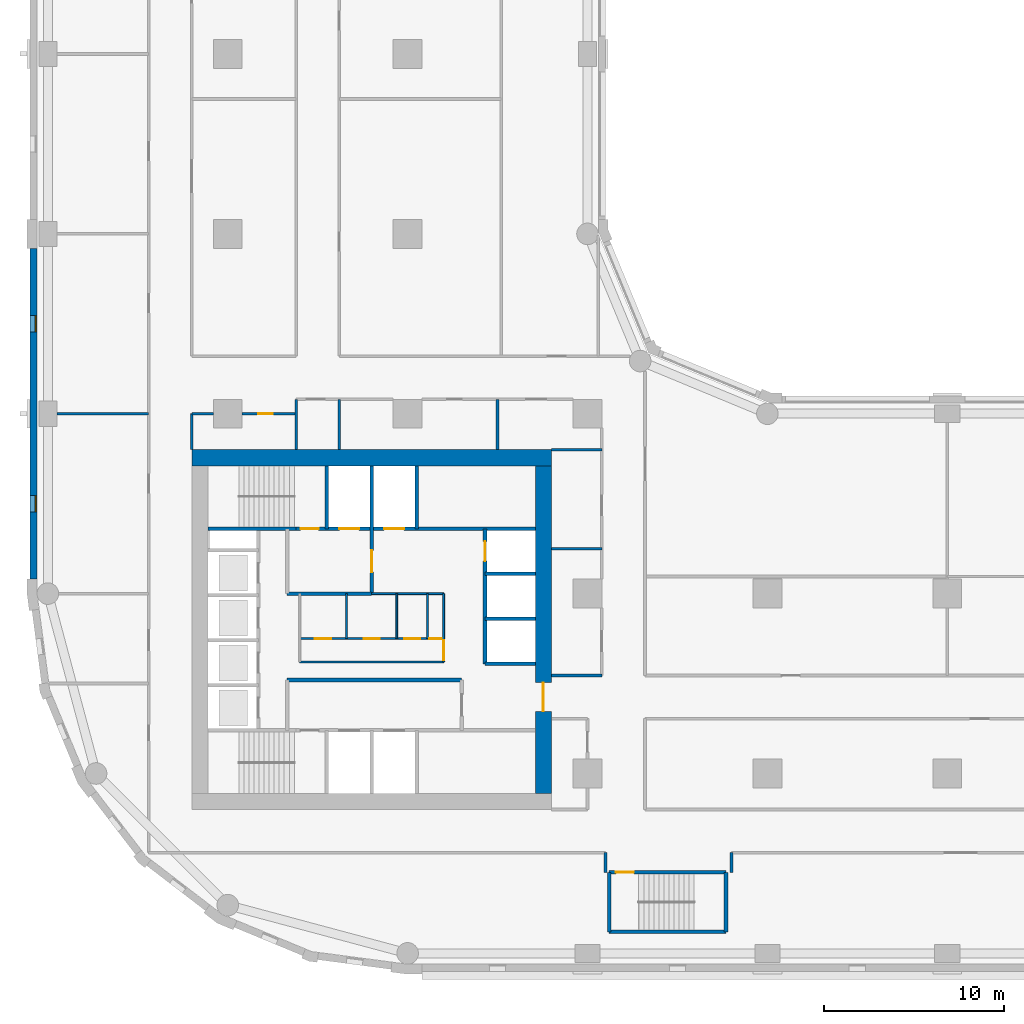
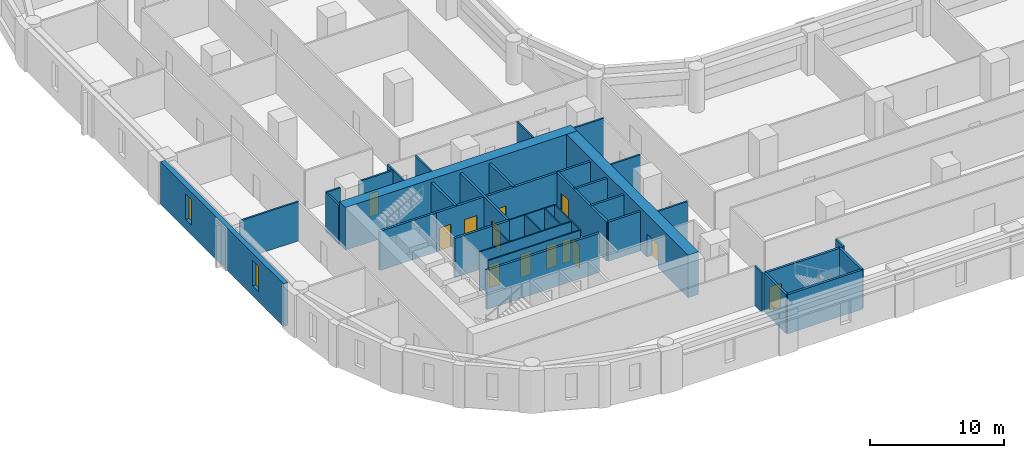
# One storey, part 3 of 10: 37 walls, 13 doors, 2 windows, 15 openings.
"""IFC4 building model written with IfcOpenShell, lengths in metres."""

import ifcopenshell
import ifcopenshell.guid

model = None  # the IFC model being written
_history = None  # IfcOwnerHistory: only IFC2X3 demands one
_inside = {}  # id of a spatial element -> (the spatial element, [elements in it])
_under = {}  # id of a project, library or spatial element -> (it, [spatial elements below it])
_declared = {}  # id of a project -> (the project, [libraries it declares])
_typed = {}  # id of a type object -> (the type object, [elements of that type])
_made_of = {}  # id of a material, layer set ... -> (it, [elements and type objects made of it])


def new_model(schema):
    """Start an empty IFC model of exactly this schema.

    Asked for "IFC4X3", IfcOpenShell would pick the latest addendum, in which some entities
    have other attributes; the version numbers below select the first issue.
    IFC2X3 requires an IfcOwnerHistory on every rooted entity: one is made here for all.
    """
    global model, _history
    if schema == "IFC4X3":
        model = ifcopenshell.file(schema_version=(4, 3, 0, 0))
    else:
        model = ifcopenshell.file(schema=schema)
    _inside.clear()
    _under.clear()
    _declared.clear()
    _typed.clear()
    _made_of.clear()
    _history = None
    if model.schema == "IFC2X3":
        org = make("IfcOrganization", Name="unknown")
        user = make(
            "IfcPersonAndOrganization",
            ThePerson=make("IfcPerson", FamilyName="unknown"),
            TheOrganization=org,
        )
        app = make(
            "IfcApplication",
            ApplicationDeveloper=org,
            Version="unknown",
            ApplicationFullName="unknown",
            ApplicationIdentifier="unknown",
        )
        _history = make(
            "IfcOwnerHistory",
            OwningUser=user,
            OwningApplication=app,
            ChangeAction="ADDED",
            CreationDate=0,
        )
    return model


def make(cls, **values):
    """One entity of the class cls with the attributes given. An attribute that is None is left unset."""
    return model.create_entity(
        cls, **{name: value for name, value in values.items() if value is not None}
    )


def rooted(cls, **values):
    """An entity with a GlobalId (a new one), such as an element, a storey or a relation."""
    return make(cls, GlobalId=ifcopenshell.guid.new(), OwnerHistory=_history, **values)


def si_unit(unit_type, name, prefix=None):
    """IfcSIUnit, for example si_unit("LENGTHUNIT", "METRE", prefix="MILLI")."""
    return make("IfcSIUnit", UnitType=unit_type, Prefix=prefix, Name=name)


def assignment(units):
    """IfcUnitAssignment: the units of a project."""
    return None if units is None else make("IfcUnitAssignment", Units=units)


def point(xyz):
    """IfcCartesianPoint."""
    return None if xyz is None else make("IfcCartesianPoint", Coordinates=xyz)


def direction(xyz):
    """IfcDirection."""
    return None if xyz is None else make("IfcDirection", DirectionRatios=xyz)


def frame(location, z_axis=None, x_axis=None):
    """IfcAxis2Placement3D, a coordinate frame: its origin and axes. An axis left out is left unset."""
    return make(
        "IfcAxis2Placement3D",
        Location=point(location),
        Axis=direction(z_axis),
        RefDirection=direction(x_axis),
    )


def frame_2d(location, x_axis=None):
    """IfcAxis2Placement2D, a coordinate frame in the plane: its origin and x axis."""
    return make(
        "IfcAxis2Placement2D", Location=point(location), RefDirection=direction(x_axis)
    )


def origin():
    """The frame at (0, 0, 0) with its axes left unset."""
    return frame((0.0, 0.0, 0.0))


def place(relative_to, where):
    """IfcLocalPlacement: puts the frame where relative to a parent placement (None: the world)."""
    return make(
        "IfcLocalPlacement", PlacementRelTo=relative_to, RelativePlacement=where
    )


def context(
    kind, dimensions, precision=None, world=None, true_north=None, identifier=None
):
    """IfcGeometricRepresentationContext, for example the 3D "Model" context."""
    return make(
        "IfcGeometricRepresentationContext",
        ContextIdentifier=identifier,
        ContextType=kind,
        CoordinateSpaceDimension=dimensions,
        Precision=precision,
        WorldCoordinateSystem=world,
        TrueNorth=true_north,
    )


def subcontext(parent, identifier, kind, view, scale=None):
    """IfcGeometricRepresentationSubContext, for example "Body" below "Model"."""
    return make(
        "IfcGeometricRepresentationSubContext",
        ContextIdentifier=identifier,
        ContextType=kind,
        ParentContext=parent,
        TargetScale=scale,
        TargetView=view,
    )


def project(units=None, contexts=None):
    """IfcProject with its units and contexts."""
    return rooted(
        "IfcProject",
        Name="project",
        RepresentationContexts=contexts,
        UnitsInContext=assignment(units),
    )


def spatial(cls, under=None, at=None, **own):
    """A site, building, storey or space (cls), placed at a placement, below another one or the project."""
    s = rooted(cls, ObjectPlacement=at, **own)
    if under is not None:
        _under.setdefault(under.id(), (under, []))[1].append(s)
    return s


def profile(cls, at=None, kind="AREA", **sizes):
    """A parametric profile (cls). Its sizes go by their IFC names, for example OverallWidth=200.0."""
    return make(cls, ProfileType=kind, Position=at, **sizes)


def rectangle(**sizes):
    """IfcRectangleProfileDef."""
    return profile("IfcRectangleProfileDef", **sizes)


def extrude(swept, where, along, depth):
    """IfcExtrudedAreaSolid: the profile swept, set in the frame where, extruded along a direction by depth."""
    return make(
        "IfcExtrudedAreaSolid",
        SweptArea=swept,
        Position=where,
        ExtrudedDirection=direction(along),
        Depth=depth,
    )


def shape(context_of_items, identifier, shape_type, items):
    """IfcShapeRepresentation: the items that make up one representation, for example the "Body"."""
    return make(
        "IfcShapeRepresentation",
        ContextOfItems=context_of_items,
        RepresentationIdentifier=identifier,
        RepresentationType=shape_type,
        Items=items,
    )


def material(Name=None, Category=None):
    """IfcMaterial."""
    return make("IfcMaterial", Name=Name, Category=Category)


def layer(
    of_material, thickness, ventilated=None, Name=None, Category=None, Priority=None
):
    """IfcMaterialLayer: one layer of a wall or slab, of a material (None: an air gap)."""
    return make(
        "IfcMaterialLayer",
        Material=of_material,
        LayerThickness=thickness,
        IsVentilated=ventilated,
        Name=Name,
        Category=Category,
        Priority=Priority,
    )


def layer_set(layers, Name=None):
    """IfcMaterialLayerSet."""
    return make("IfcMaterialLayerSet", MaterialLayers=layers, LayerSetName=Name)


def made_of(thing, what):
    """Note that an element or type object is made of a material, layer set ...; save() writes the relation."""
    if what is not None:
        _made_of.setdefault(what.id(), (what, []))[1].append(thing)
    return thing


def type_object(cls, material=None, **own):
    """A type object (cls), such as IfcWallType, which elements share."""
    return made_of(rooted(cls, **own), material)


def element(
    cls,
    number,
    at=None,
    inside=None,
    cuts=None,
    type_object=None,
    material=None,
    context=None,
    identifier="Body",
    shape_type=None,
    held_by="IfcProductDefinitionShape",
    body=None,
    shapes=None,
    **own,
):
    """One element of the class cls, such as IfcWall. Its Tag is "e" and its number.

    at: its placement. inside: the storey or other place that contains it. cuts: it is an
    opening in that element (IfcRelVoidsElement). A single representation is given by context,
    identifier, shape_type and body (its items); several are given by shapes. held_by: the class
    of the entity that holds the representations. save() writes the other relations.
    """
    e = rooted(cls, Tag="e%d" % number, ObjectPlacement=at, **own)
    if body is not None:
        shapes = [shape(context, identifier, shape_type, body)]
    if shapes is not None:
        e.Representation = make(held_by, Representations=shapes)
    if inside is not None:
        _inside.setdefault(inside.id(), (inside, []))[1].append(e)
    if cuts is not None:
        rooted(
            "IfcRelVoidsElement", RelatingBuildingElement=cuts, RelatedOpeningElement=e
        )
    if type_object is not None:
        _typed.setdefault(type_object.id(), (type_object, []))[1].append(e)
    return made_of(e, material)


def fill(opening, filler):
    """IfcRelFillsElement: the door or window that sits in an opening."""
    return rooted(
        "IfcRelFillsElement",
        RelatingOpeningElement=opening,
        RelatedBuildingElement=filler,
    )


def aggregate(whole, parts):
    """IfcRelAggregates: a whole, such as a stair, and the parts it consists of."""
    return rooted("IfcRelAggregates", RelatingObject=whole, RelatedObjects=parts)


def save(model, path):
    """Write the relations noted so far, then the file.

    IfcRelAggregates (storeys below a building ...), IfcRelContainedInSpatialStructure (elements
    in a storey), IfcRelDefinesByType, IfcRelAssociatesMaterial and IfcRelDeclares: one each for
    every whole, place, type object, material and project.
    """
    for whole, parts in _under.values():
        aggregate(whole, parts)
    for where, things in _inside.values():
        rooted(
            "IfcRelContainedInSpatialStructure",
            RelatedElements=things,
            RelatingStructure=where,
        )
    for kind, things in _typed.values():
        rooted("IfcRelDefinesByType", RelatedObjects=things, RelatingType=kind)
    for what, things in _made_of.values():
        rooted("IfcRelAssociatesMaterial", RelatedObjects=things, RelatingMaterial=what)
    for by, libraries in _declared.values():
        rooted("IfcRelDeclares", RelatingContext=by, RelatedDefinitions=libraries)
    model.write(path)


model = new_model("IFC4")

# Units and contexts
model_context = context("Model", 3, precision=1e-05, world=origin(), true_north=direction((0.0, 1.0)))
body_context = subcontext(model_context, "Body", "Model", "MODEL_VIEW")
ifc_project = project(units=[si_unit("LENGTHUNIT", "METRE"), si_unit("AREAUNIT", "SQUARE_METRE"), si_unit("VOLUMEUNIT", "CUBIC_METRE"), si_unit("PLANEANGLEUNIT", "RADIAN"), si_unit("MASSUNIT", "GRAM", prefix="KILO")], contexts=[model_context])

# Site, building, storey
site_placement = place(None, origin())
site = spatial("IfcSite", under=ifc_project, at=site_placement, CompositionType="ELEMENT")
building_placement = place(site_placement, origin())
building = spatial("IfcBuilding", under=site, at=building_placement, Name="Qaws Garden Tower", CompositionType="ELEMENT")
storey_placement = place(building_placement, frame((0.0, 0.0, 15.89990234375)))
storey = spatial("IfcBuildingStorey", under=building, at=storey_placement, Name="L03", CompositionType="ELEMENT", Elevation=15.89990234375)

# Wall, openings, windows
ifc_material_1 = material(Name="Clay facing brick masonry", Category="masonry")
ifc_layer_1 = layer(ifc_material_1, 0.39990234375)
ifc_layer_set_1 = layer_set([ifc_layer_1], Name="Clay facing brick masonry")
wall_type_1 = type_object("IfcWallType", Name="Brick infill wall 400", PredefinedType="SOLIDWALL", material=ifc_layer_set_1)
wall_1_placement = place(storey_placement, frame((-0.800048828125, 39.199951171875, 0.0), z_axis=(0.0, 0.0, 1.0), x_axis=(0.0, -1.0, 0.0)))
wall_1 = element("IfcWall", 1, at=wall_1_placement, inside=storey, type_object=wall_type_1, Name="E-L03-infill-25", PredefinedType="SOLIDWALL", context=body_context, shape_type="SweptSolid", body=[
    extrude(rectangle(XDim=18.39990234375, YDim=0.39990234375, at=frame_2d((9.199951171875, 0.0))), origin(), (0.0, 0.0, 1.0), 3.900146484375),
])
opening_1_placement = place(wall_1_placement, frame((3.75, 0.0, 0.89990234375)))
opening_1 = element("IfcOpeningElement", 2, at=opening_1_placement, cuts=wall_1, Name="Opening W09", PredefinedType="OPENING", context=body_context, shape_type="SweptSolid", body=[
    extrude(rectangle(XDim=0.89990234375, YDim=2.35009765625, at=frame_2d((0.449951171875, 1.175048828125))), frame((0.0, 0.2099609375, 0.0), z_axis=(0.0, -1.0, 0.0), x_axis=(1.0, 0.0, 0.0)), (0.0, 0.0, 1.0), 0.419921875),
])
opening_2_placement = place(wall_1_placement, frame((13.75, 0.0, 0.89990234375)))
opening_2 = element("IfcOpeningElement", 3, at=opening_2_placement, cuts=wall_1, Name="Opening W09", PredefinedType="OPENING", context=body_context, shape_type="SweptSolid", body=[
    extrude(rectangle(XDim=0.89990234375, YDim=2.35009765625, at=frame_2d((0.449951171875, 1.175048828125))), frame((0.0, 0.2099609375, 0.0), z_axis=(0.0, -1.0, 0.0), x_axis=(1.0, 0.0, 0.0)), (0.0, 0.0, 1.0), 0.419921875),
])
ifc_material_2 = material(Name="Aluminium framed window, clear glazing", Category="aluminium")
window_type = type_object("IfcWindowType", Name="Slit window 900 x 2350", PartitioningType="SINGLE_PANEL", PredefinedType="WINDOW", material=ifc_material_2)
window_1_placement = place(opening_1_placement, origin())
window_1 = element("IfcWindow", 4, at=window_1_placement, inside=storey, type_object=window_type, Name="E-L03-window-25-0", OverallHeight=2.35009765625, OverallWidth=0.89990234375, PartitioningType="SINGLE_PANEL", PredefinedType="WINDOW", context=body_context, shape_type="SweptSolid", body=[
    extrude(rectangle(XDim=0.89990234375, YDim=2.35009765625, at=frame_2d((0.449951171875, 1.175048828125))), frame((0.0, 0.159912109375, 0.0), z_axis=(0.0, -1.0, 0.0), x_axis=(1.0, 0.0, 0.0)), (0.0, 0.0, 1.0), 0.06005859375),
])
fill(opening_1, window_1)
window_2_placement = place(opening_2_placement, origin())
window_2 = element("IfcWindow", 5, at=window_2_placement, inside=storey, type_object=window_type, Name="E-L03-window-26-0", OverallHeight=2.35009765625, OverallWidth=0.89990234375, PartitioningType="SINGLE_PANEL", PredefinedType="WINDOW", context=body_context, shape_type="SweptSolid", body=[
    extrude(rectangle(XDim=0.89990234375, YDim=2.35009765625, at=frame_2d((0.449951171875, 1.175048828125))), frame((0.0, 0.159912109375, 0.0), z_axis=(0.0, -1.0, 0.0), x_axis=(1.0, 0.0, 0.0)), (0.0, 0.0, 1.0), 0.06005859375),
])
fill(opening_2, window_2)

# Wall
ifc_material_3 = material(Name="Plasterboard")
ifc_layer_2 = layer(ifc_material_3, 0.10009765625)
ifc_layer_set_2 = layer_set([ifc_layer_2], Name="Plasterboard")
wall_type_2 = type_object("IfcWallType", Name="Core partition 100", PredefinedType="PARTITIONING", material=ifc_layer_set_2)
wall_2_placement = place(storey_placement, frame((14.0, 16.199951171875, 0.0), z_axis=(0.0, 0.0, 1.0), x_axis=(1.0, 0.0, 0.0)))
element("IfcWall", 6, at=wall_2_placement, inside=storey, type_object=wall_type_2, Name="Core partition", PredefinedType="PARTITIONING", context=body_context, shape_type="SweptSolid", body=[
    extrude(rectangle(XDim=8.0, YDim=0.10009765625, at=frame_2d((4.0, 0.0))), origin(), (0.0, 0.0, 1.0), 3.580078125),
])

# Wall, openings, doors
wall_3_placement = place(storey_placement, frame((14.0, 17.5, 0.0), z_axis=(0.0, 0.0, 1.0), x_axis=(1.0, 0.0, 0.0)))
wall_3 = element("IfcWall", 7, at=wall_3_placement, inside=storey, type_object=wall_type_2, Name="Core partition", PredefinedType="PARTITIONING", context=body_context, shape_type="SweptSolid", body=[
    extrude(rectangle(XDim=8.0, YDim=0.10009765625, at=frame_2d((4.0, 0.0))), origin(), (0.0, 0.0, 1.0), 3.580078125),
])
opening_3_placement = place(wall_3_placement, frame((0.85009765625, 0.0, 0.0)))
opening_3 = element("IfcOpeningElement", 8, at=opening_3_placement, cuts=wall_3, Name="Opening WD18", PredefinedType="OPENING", context=body_context, shape_type="SweptSolid", body=[
    extrude(rectangle(XDim=0.89990234375, YDim=2.10009765625, at=frame_2d((0.449951171875, 1.050048828125))), frame((0.0, 0.06005859375, 0.0), z_axis=(0.0, -1.0, 0.0), x_axis=(1.0, 0.0, 0.0)), (0.0, 0.0, 1.0), 0.1201171875),
])
opening_4_placement = place(wall_3_placement, frame((3.550048828125, 0.0, 0.0)))
opening_4 = element("IfcOpeningElement", 9, at=opening_4_placement, cuts=wall_3, Name="Opening WD19", PredefinedType="OPENING", context=body_context, shape_type="SweptSolid", body=[
    extrude(rectangle(XDim=0.89990234375, YDim=2.10009765625, at=frame_2d((0.449951171875, 1.050048828125))), frame((0.0, 0.06005859375, 0.0), z_axis=(0.0, -1.0, 0.0), x_axis=(1.0, 0.0, 0.0)), (0.0, 0.0, 1.0), 0.1201171875),
])
opening_5_placement = place(wall_3_placement, frame((5.800048828125, 0.0, 0.0)))
opening_5 = element("IfcOpeningElement", 10, at=opening_5_placement, cuts=wall_3, Name="Opening WD20", PredefinedType="OPENING", context=body_context, shape_type="SweptSolid", body=[
    extrude(rectangle(XDim=0.89990234375, YDim=2.10009765625, at=frame_2d((0.449951171875, 1.050048828125))), frame((0.0, 0.06005859375, 0.0), z_axis=(0.0, -1.0, 0.0), x_axis=(1.0, 0.0, 0.0)), (0.0, 0.0, 1.0), 0.1201171875),
])
opening_6_placement = place(wall_3_placement, frame((7.199951171875, 0.0, 0.0)))
opening_6 = element("IfcOpeningElement", 11, at=opening_6_placement, cuts=wall_3, Name="Opening XD21", PredefinedType="OPENING", context=body_context, shape_type="SweptSolid", body=[
    extrude(rectangle(XDim=0.699951171875, YDim=2.10009765625, at=frame_2d((0.35009765625, 1.050048828125))), frame((0.0, 0.06005859375, 0.0), z_axis=(0.0, -1.0, 0.0), x_axis=(1.0, 0.0, 0.0)), (0.0, 0.0, 1.0), 0.1201171875),
])
ifc_material_4 = material(Name="Timber", Category="wood")
door_type_1 = type_object("IfcDoorType", Name="Store door 700x2100", OperationType="SINGLE_SWING_LEFT", PredefinedType="DOOR", material=ifc_material_4)
door_1_placement = place(opening_6_placement, origin())
door_1 = element("IfcDoor", 12, at=door_1_placement, inside=storey, type_object=door_type_1, Name="Cleaner's store door", OperationType="SINGLE_SWING_RIGHT", OverallHeight=2.10009765625, OverallWidth=0.699951171875, PredefinedType="DOOR", context=body_context, shape_type="SweptSolid", body=[
    extrude(rectangle(XDim=0.699951171875, YDim=2.10009765625, at=frame_2d((0.35009765625, 1.050048828125))), frame((0.0, 0.02490234375, 0.0), z_axis=(0.0, -1.0, 0.0), x_axis=(1.0, 0.0, 0.0)), (0.0, 0.0, 1.0), 0.050048828125),
])
fill(opening_6, door_1)
ifc_material_5 = material(Name="Timber", Category="wood")
door_type_2 = type_object("IfcDoorType", Name="WC door 900x2100", OperationType="SINGLE_SWING_LEFT", PredefinedType="DOOR", material=ifc_material_5)
door_2_placement = place(opening_3_placement, origin())
door_2 = element("IfcDoor", 13, at=door_2_placement, inside=storey, type_object=door_type_2, Name="Men's WC door", OperationType="SINGLE_SWING_RIGHT", OverallHeight=2.10009765625, OverallWidth=0.89990234375, PredefinedType="DOOR", context=body_context, shape_type="SweptSolid", body=[
    extrude(rectangle(XDim=0.89990234375, YDim=2.10009765625, at=frame_2d((0.449951171875, 1.050048828125))), frame((0.0, 0.02490234375, 0.0), z_axis=(0.0, -1.0, 0.0), x_axis=(1.0, 0.0, 0.0)), (0.0, 0.0, 1.0), 0.050048828125),
])
fill(opening_3, door_2)
door_3_placement = place(opening_4_placement, origin())
door_3 = element("IfcDoor", 14, at=door_3_placement, inside=storey, type_object=door_type_2, Name="Women's WC door", OperationType="SINGLE_SWING_RIGHT", OverallHeight=2.10009765625, OverallWidth=0.89990234375, PredefinedType="DOOR", context=body_context, shape_type="SweptSolid", body=[
    extrude(rectangle(XDim=0.89990234375, YDim=2.10009765625, at=frame_2d((0.449951171875, 1.050048828125))), frame((0.0, 0.02490234375, 0.0), z_axis=(0.0, -1.0, 0.0), x_axis=(1.0, 0.0, 0.0)), (0.0, 0.0, 1.0), 0.050048828125),
])
fill(opening_4, door_3)
door_4_placement = place(opening_5_placement, origin())
door_4 = element("IfcDoor", 15, at=door_4_placement, inside=storey, type_object=door_type_2, Name="Accessible WC door", OperationType="SINGLE_SWING_RIGHT", OverallHeight=2.10009765625, OverallWidth=0.89990234375, PredefinedType="DOOR", context=body_context, shape_type="SweptSolid", body=[
    extrude(rectangle(XDim=0.89990234375, YDim=2.10009765625, at=frame_2d((0.449951171875, 1.050048828125))), frame((0.0, 0.02490234375, 0.0), z_axis=(0.0, -1.0, 0.0), x_axis=(1.0, 0.0, 0.0)), (0.0, 0.0, 1.0), 0.050048828125),
])
fill(opening_5, door_4)

# Walls
wall_4_placement = place(storey_placement, frame((18.0, 20.0, 0.0), z_axis=(0.0, 0.0, 1.0), x_axis=(1.0, 0.0, 0.0)))
element("IfcWall", 16, at=wall_4_placement, inside=storey, type_object=wall_type_2, Name="Core partition", PredefinedType="PARTITIONING", context=body_context, shape_type="SweptSolid", body=[
    extrude(rectangle(XDim=4.0, YDim=0.10009765625, at=frame_2d((2.0, 0.0))), origin(), (0.0, 0.0, 1.0), 3.580078125),
])
for number, where, z_axis, x_axis, name in (
    (17, (16.60009765625, 17.5, 0.0), (0.0, 0.0, 1.0), (0.0, 1.0, 0.0), "Core partition"),
    (18, (19.39990234375, 17.5, 0.0), (0.0, 0.0, 1.0), (0.0, 1.0, 0.0), "Core partition"),
    (19, (21.10009765625, 17.5, 0.0), (0.0, 0.0, 1.0), (0.0, 1.0, 0.0), "Core partition"),
):
    element("IfcWall", number, at=place(storey_placement, frame(where, z_axis=z_axis, x_axis=x_axis)), inside=storey, type_object=wall_type_2, Name=name, PredefinedType="PARTITIONING", context=body_context, shape_type="SweptSolid", body=[
        extrude(rectangle(XDim=2.5, YDim=0.10009765625, at=frame_2d((1.25, 0.0))), origin(), (0.0, 0.0, 1.0), 3.580078125),
    ])

# Wall, opening, door
wall_5_placement = place(storey_placement, frame((22.0, 16.199951171875, 0.0), z_axis=(0.0, 0.0, 1.0), x_axis=(0.0, 1.0, 0.0)))
wall_5 = element("IfcWall", 20, at=wall_5_placement, inside=storey, type_object=wall_type_2, Name="Core partition", PredefinedType="PARTITIONING", context=body_context, shape_type="SweptSolid", body=[
    extrude(rectangle(XDim=3.800048828125, YDim=0.10009765625, at=frame_2d((1.89990234375, 0.0))), origin(), (0.0, 0.0, 1.0), 3.580078125),
])
opening_7_placement = place(wall_5_placement, frame((0.10009765625, 0.0, 0.0)))
opening_7 = element("IfcOpeningElement", 21, at=opening_7_placement, cuts=wall_5, Name="Opening WL17", PredefinedType="OPENING", context=body_context, shape_type="SweptSolid", body=[
    extrude(rectangle(XDim=1.10009765625, YDim=2.10009765625, at=frame_2d((0.550048828125, 1.050048828125))), frame((0.0, 0.06005859375, 0.0), z_axis=(0.0, -1.0, 0.0), x_axis=(1.0, 0.0, 0.0)), (0.0, 0.0, 1.0), 0.1201171875),
])
ifc_material_6 = material(Name="Timber", Category="wood")
door_type_3 = type_object("IfcDoorType", Name="WC lobby door 1100x2100", OperationType="SINGLE_SWING_LEFT", PredefinedType="DOOR", material=ifc_material_6)
door_5_placement = place(opening_7_placement, origin())
door_5 = element("IfcDoor", 22, at=door_5_placement, inside=storey, type_object=door_type_3, Name="WC lobby door", OperationType="SINGLE_SWING_RIGHT", OverallHeight=2.10009765625, OverallWidth=1.10009765625, PredefinedType="DOOR", context=body_context, shape_type="SweptSolid", body=[
    extrude(rectangle(XDim=1.10009765625, YDim=2.10009765625, at=frame_2d((0.550048828125, 1.050048828125))), frame((0.0, 0.02490234375, 0.0), z_axis=(0.0, -1.0, 0.0), x_axis=(1.0, 0.0, 0.0)), (0.0, 0.0, 1.0), 0.050048828125),
])
fill(opening_7, door_5)

# Wall
ifc_material_7 = material(Name="Concrete C80", Category="concrete")
ifc_layer_3 = layer(ifc_material_7, 0.199951171875)
ifc_layer_set_3 = layer_set([ifc_layer_3], Name="Concrete C80")
wall_type_3 = type_object("IfcWallType", Name="Core shaft wall 200 C80", PredefinedType="SHEAR", material=ifc_layer_set_3)
wall_6_placement = place(storey_placement, frame((31.199951171875, 1.199951171875, 0.0), z_axis=(0.0, 0.0, 1.0), x_axis=(1.0, 0.0, 0.0)))
element("IfcWall", 23, at=wall_6_placement, inside=storey, type_object=wall_type_3, Name="Shaft wall", PredefinedType="SHEAR", context=body_context, shape_type="SweptSolid", body=[
    extrude(rectangle(XDim=6.5, YDim=0.199951171875, at=frame_2d((3.25, 0.0))), origin(), (0.0, 0.0, 1.0), 3.580078125),
])

# Wall, opening, door
wall_7_placement = place(storey_placement, frame((31.199951171875, 4.5, 0.0), z_axis=(0.0, 0.0, 1.0), x_axis=(1.0, 0.0, 0.0)))
wall_7 = element("IfcWall", 24, at=wall_7_placement, inside=storey, type_object=wall_type_3, Name="Shaft wall", PredefinedType="SHEAR", context=body_context, shape_type="SweptSolid", body=[
    extrude(rectangle(XDim=6.5, YDim=0.199951171875, at=frame_2d((3.25, 0.0))), origin(), (0.0, 0.0, 1.0), 3.580078125),
])
opening_8_placement = place(wall_7_placement, frame((0.375, 0.0, 0.0)))
opening_8 = element("IfcOpeningElement", 25, at=opening_8_placement, cuts=wall_7, Name="Opening SD12", PredefinedType="OPENING", context=body_context, shape_type="SweptSolid", body=[
    extrude(rectangle(XDim=1.0, YDim=2.10009765625, at=frame_2d((0.5, 1.050048828125))), frame((0.0, 0.10986328125, 0.0), z_axis=(0.0, -1.0, 0.0), x_axis=(1.0, 0.0, 0.0)), (0.0, 0.0, 1.0), 0.219970703125),
])
ifc_material_8 = material(Name="Steel S235", Category="steel")
door_type_4 = type_object("IfcDoorType", Name="Stair door 1000x2100", OperationType="SINGLE_SWING_RIGHT", PredefinedType="DOOR", material=ifc_material_8)
door_6_placement = place(opening_8_placement, frame((1.0, 0.0, 0.0), z_axis=(0.0, 0.0, 1.0), x_axis=(-1.0, 0.0, 0.0)))
door_6 = element("IfcDoor", 26, at=door_6_placement, inside=storey, type_object=door_type_4, Name="Stair 5 door", OperationType="SINGLE_SWING_RIGHT", OverallHeight=2.10009765625, OverallWidth=1.0, PredefinedType="DOOR", context=body_context, shape_type="SweptSolid", body=[
    extrude(rectangle(XDim=1.0, YDim=2.10009765625, at=frame_2d((0.5, 1.050048828125))), frame((0.0, 0.02490234375, 0.0), z_axis=(0.0, -1.0, 0.0), x_axis=(1.0, 0.0, 0.0)), (0.0, 0.0, 1.0), 0.050048828125),
])
fill(opening_8, door_6)

# Walls
wall_8_placement = place(storey_placement, frame((13.300048828125, 15.199951171875, 0.0), z_axis=(0.0, 0.0, 1.0), x_axis=(1.0, 0.0, 0.0)))
element("IfcWall", 27, at=wall_8_placement, inside=storey, type_object=wall_type_3, Name="Shaft wall", PredefinedType="SHEAR", context=body_context, shape_type="SweptSolid", body=[
    extrude(rectangle(XDim=9.699951171875, YDim=0.199951171875, at=frame_2d((4.85009765625, 0.0))), origin(), (0.0, 0.0, 1.0), 3.580078125),
])
for number, where, z_axis, x_axis, name in (
    (28, (24.300048828125, 16.10009765625, 0.0), (0.0, 0.0, 1.0), (1.0, 0.0, 0.0), "Shaft wall"),
    (29, (24.300048828125, 18.60009765625, 0.0), (0.0, 0.0, 1.0), (1.0, 0.0, 0.0), "Shaft wall"),
):
    element("IfcWall", number, at=place(storey_placement, frame(where, z_axis=z_axis, x_axis=x_axis)), inside=storey, type_object=wall_type_3, Name=name, PredefinedType="SHEAR", context=body_context, shape_type="SweptSolid", body=[
        extrude(rectangle(XDim=2.800048828125, YDim=0.199951171875, at=frame_2d((1.39990234375, 0.0))), origin(), (0.0, 0.0, 1.0), 3.580078125),
    ])
wall_9_placement = place(storey_placement, frame((13.300048828125, 20.0, 0.0), z_axis=(0.0, 0.0, 1.0), x_axis=(1.0, 0.0, 0.0)))
element("IfcWall", 30, at=wall_9_placement, inside=storey, type_object=wall_type_3, Name="Shaft wall", PredefinedType="SHEAR", context=body_context, shape_type="SweptSolid", body=[
    extrude(rectangle(XDim=4.699951171875, YDim=0.199951171875, at=frame_2d((2.35009765625, 0.0))), origin(), (0.0, 0.0, 1.0), 3.580078125),
])
wall_10_placement = place(storey_placement, frame((24.300048828125, 21.10009765625, 0.0), z_axis=(0.0, 0.0, 1.0), x_axis=(1.0, 0.0, 0.0)))
element("IfcWall", 31, at=wall_10_placement, inside=storey, type_object=wall_type_3, Name="Shaft wall", PredefinedType="SHEAR", context=body_context, shape_type="SweptSolid", body=[
    extrude(rectangle(XDim=2.800048828125, YDim=0.199951171875, at=frame_2d((1.39990234375, 0.0))), origin(), (0.0, 0.0, 1.0), 3.580078125),
])
wall_11_placement = place(storey_placement, frame((8.89990234375, 23.60009765625, 0.0), z_axis=(0.0, 0.0, 1.0), x_axis=(1.0, 0.0, 0.0)))
element("IfcWall", 32, at=wall_11_placement, inside=storey, type_object=wall_type_3, Name="Shaft wall", PredefinedType="SHEAR", context=body_context, shape_type="SweptSolid", body=[
    extrude(rectangle(XDim=4.900146484375, YDim=0.199951171875, at=frame_2d((2.4501953125, 0.0))), origin(), (0.0, 0.0, 1.0), 3.580078125),
])

# Wall, openings, doors
wall_12_placement = place(storey_placement, frame((13.800048828125, 23.60009765625, 0.0), z_axis=(0.0, 0.0, 1.0), x_axis=(1.0, 0.0, 0.0)))
wall_12 = element("IfcWall", 33, at=wall_12_placement, inside=storey, type_object=wall_type_3, Name="Shaft wall", PredefinedType="SHEAR", context=body_context, shape_type="SweptSolid", body=[
    extrude(rectangle(XDim=13.300048828125, YDim=0.199951171875, at=frame_2d((6.64990234375, 0.0))), origin(), (0.0, 0.0, 1.0), 3.580078125),
])
opening_9_placement = place(wall_12_placement, frame((2.39990234375, 0.0, 0.0)))
opening_9 = element("IfcOpeningElement", 34, at=opening_9_placement, cuts=wall_12, Name="Opening LD08", PredefinedType="OPENING", context=body_context, shape_type="SweptSolid", body=[
    extrude(rectangle(XDim=1.10009765625, YDim=2.10009765625, at=frame_2d((0.550048828125, 1.050048828125))), frame((0.0, 0.10986328125, 0.0), z_axis=(0.0, -1.0, 0.0), x_axis=(1.0, 0.0, 0.0)), (0.0, 0.0, 1.0), 0.219970703125),
])
opening_10_placement = place(wall_12_placement, frame((4.89990234375, 0.0, 0.0)))
opening_10 = element("IfcOpeningElement", 35, at=opening_10_placement, cuts=wall_12, Name="Opening LD09", PredefinedType="OPENING", context=body_context, shape_type="SweptSolid", body=[
    extrude(rectangle(XDim=1.10009765625, YDim=2.10009765625, at=frame_2d((0.550048828125, 1.050048828125))), frame((0.0, 0.10986328125, 0.0), z_axis=(0.0, -1.0, 0.0), x_axis=(1.0, 0.0, 0.0)), (0.0, 0.0, 1.0), 0.219970703125),
])
opening_11_placement = place(wall_12_placement, frame((0.25, 0.0, 0.0)))
opening_11 = element("IfcOpeningElement", 36, at=opening_11_placement, cuts=wall_12, Name="Opening SD11", PredefinedType="OPENING", context=body_context, shape_type="SweptSolid", body=[
    extrude(rectangle(XDim=1.0, YDim=2.10009765625, at=frame_2d((0.5, 1.050048828125))), frame((0.0, 0.10986328125, 0.0), z_axis=(0.0, -1.0, 0.0), x_axis=(1.0, 0.0, 0.0)), (0.0, 0.0, 1.0), 0.219970703125),
])
ifc_material_9 = material(Name="Steel S235", Category="steel")
door_type_5 = type_object("IfcDoorType", Name="Landing door 1100x2100", OperationType="DOUBLE_DOOR_SLIDING", PredefinedType="DOOR", material=ifc_material_9)
door_7_placement = place(opening_9_placement, origin())
door_7 = element("IfcDoor", 37, at=door_7_placement, inside=storey, type_object=door_type_5, Name="Lift FF3 landing door", OperationType="DOUBLE_DOOR_SLIDING", OverallHeight=2.10009765625, OverallWidth=1.10009765625, PredefinedType="DOOR", context=body_context, shape_type="SweptSolid", body=[
    extrude(rectangle(XDim=1.10009765625, YDim=2.10009765625, at=frame_2d((0.550048828125, 1.050048828125))), frame((0.0, 0.02490234375, 0.0), z_axis=(0.0, -1.0, 0.0), x_axis=(1.0, 0.0, 0.0)), (0.0, 0.0, 1.0), 0.050048828125),
])
fill(opening_9, door_7)
door_8_placement = place(opening_10_placement, origin())
door_8 = element("IfcDoor", 38, at=door_8_placement, inside=storey, type_object=door_type_5, Name="Lift SV2 landing door", OperationType="DOUBLE_DOOR_SLIDING", OverallHeight=2.10009765625, OverallWidth=1.10009765625, PredefinedType="DOOR", context=body_context, shape_type="SweptSolid", body=[
    extrude(rectangle(XDim=1.10009765625, YDim=2.10009765625, at=frame_2d((0.550048828125, 1.050048828125))), frame((0.0, 0.02490234375, 0.0), z_axis=(0.0, -1.0, 0.0), x_axis=(1.0, 0.0, 0.0)), (0.0, 0.0, 1.0), 0.050048828125),
])
fill(opening_10, door_8)
door_9_placement = place(opening_11_placement, origin())
door_9 = element("IfcDoor", 39, at=door_9_placement, inside=storey, type_object=door_type_4, Name="Stair 4 door", OperationType="SINGLE_SWING_RIGHT", OverallHeight=2.10009765625, OverallWidth=1.0, PredefinedType="DOOR", context=body_context, shape_type="SweptSolid", body=[
    extrude(rectangle(XDim=1.0, YDim=2.10009765625, at=frame_2d((0.5, 1.050048828125))), frame((0.0, 0.02490234375, 0.0), z_axis=(0.0, -1.0, 0.0), x_axis=(1.0, 0.0, 0.0)), (0.0, 0.0, 1.0), 0.050048828125),
])
fill(opening_11, door_9)

# Wall
wall_13_placement = place(storey_placement, frame((15.5, 23.60009765625, 0.0), z_axis=(0.0, 0.0, 1.0), x_axis=(0.0, 1.0, 0.0)))
element("IfcWall", 40, at=wall_13_placement, inside=storey, type_object=wall_type_3, Name="Shaft wall", PredefinedType="SHEAR", context=body_context, shape_type="SweptSolid", body=[
    extrude(rectangle(XDim=3.5, YDim=0.199951171875, at=frame_2d((1.75, 0.0))), origin(), (0.0, 0.0, 1.0), 3.580078125),
])

# Wall, opening, door
wall_14_placement = place(storey_placement, frame((18.0, 20.0, 0.0), z_axis=(0.0, 0.0, 1.0), x_axis=(0.0, 1.0, 0.0)))
wall_14 = element("IfcWall", 41, at=wall_14_placement, inside=storey, type_object=wall_type_3, Name="Shaft wall", PredefinedType="SHEAR", context=body_context, shape_type="SweptSolid", body=[
    extrude(rectangle(XDim=7.10009765625, YDim=0.199951171875, at=frame_2d((3.550048828125, 0.0))), origin(), (0.0, 0.0, 1.0), 3.580078125),
])
opening_12_placement = place(wall_14_placement, frame((1.199951171875, 0.0, 0.0)))
opening_12 = element("IfcOpeningElement", 42, at=opening_12_placement, cuts=wall_14, Name="Opening FD16", PredefinedType="OPENING", context=body_context, shape_type="SweptSolid", body=[
    extrude(rectangle(XDim=1.199951171875, YDim=2.10009765625, at=frame_2d((0.60009765625, 1.050048828125))), frame((0.0, 0.10986328125, 0.0), z_axis=(0.0, -1.0, 0.0), x_axis=(1.0, 0.0, 0.0)), (0.0, 0.0, 1.0), 0.219970703125),
])
ifc_material_10 = material(Name="Steel S235", Category="steel")
door_type_6 = type_object("IfcDoorType", Name="Lobby door 1200x2100", OperationType="DOUBLE_DOOR_SINGLE_SWING", PredefinedType="DOOR", material=ifc_material_10)
door_10_placement = place(opening_12_placement, origin())
door_10 = element("IfcDoor", 43, at=door_10_placement, inside=storey, type_object=door_type_6, Name="Fire-fighting lobby door", OperationType="DOUBLE_DOOR_SINGLE_SWING", OverallHeight=2.10009765625, OverallWidth=1.199951171875, PredefinedType="DOOR", context=body_context, shape_type="SweptSolid", body=[
    extrude(rectangle(XDim=1.199951171875, YDim=2.10009765625, at=frame_2d((0.60009765625, 1.050048828125))), frame((0.0, 0.02490234375, 0.0), z_axis=(0.0, -1.0, 0.0), x_axis=(1.0, 0.0, 0.0)), (0.0, 0.0, 1.0), 0.050048828125),
])
fill(opening_12, door_10)

# Wall
wall_15_placement = place(storey_placement, frame((20.5, 23.60009765625, 0.0), z_axis=(0.0, 0.0, 1.0), x_axis=(0.0, 1.0, 0.0)))
element("IfcWall", 44, at=wall_15_placement, inside=storey, type_object=wall_type_3, Name="Shaft wall", PredefinedType="SHEAR", context=body_context, shape_type="SweptSolid", body=[
    extrude(rectangle(XDim=3.5, YDim=0.199951171875, at=frame_2d((1.75, 0.0))), origin(), (0.0, 0.0, 1.0), 3.580078125),
])

# Wall, opening, door
wall_16_placement = place(storey_placement, frame((24.300048828125, 16.10009765625, 0.0), z_axis=(0.0, 0.0, 1.0), x_axis=(0.0, 1.0, 0.0)))
wall_16 = element("IfcWall", 45, at=wall_16_placement, inside=storey, type_object=wall_type_3, Name="Shaft wall", PredefinedType="SHEAR", context=body_context, shape_type="SweptSolid", body=[
    extrude(rectangle(XDim=7.5, YDim=0.199951171875, at=frame_2d((3.75, 0.0))), origin(), (0.0, 0.0, 1.0), 3.580078125),
])
opening_13_placement = place(wall_16_placement, frame((5.699951171875, 0.0, 0.0)))
opening_13 = element("IfcOpeningElement", 46, at=opening_13_placement, cuts=wall_16, Name="Opening LD05", PredefinedType="OPENING", context=body_context, shape_type="SweptSolid", body=[
    extrude(rectangle(XDim=1.10009765625, YDim=2.10009765625, at=frame_2d((0.550048828125, 1.050048828125))), frame((0.0, 0.10986328125, 0.0), z_axis=(0.0, -1.0, 0.0), x_axis=(1.0, 0.0, 0.0)), (0.0, 0.0, 1.0), 0.219970703125),
])
door_11_placement = place(opening_13_placement, origin())
door_11 = element("IfcDoor", 47, at=door_11_placement, inside=storey, type_object=door_type_5, Name="Lift E3 landing door", OperationType="DOUBLE_DOOR_SLIDING", OverallHeight=2.10009765625, OverallWidth=1.10009765625, PredefinedType="DOOR", context=body_context, shape_type="SweptSolid", body=[
    extrude(rectangle(XDim=1.10009765625, YDim=2.10009765625, at=frame_2d((0.550048828125, 1.050048828125))), frame((0.0, 0.02490234375, 0.0), z_axis=(0.0, -1.0, 0.0), x_axis=(1.0, 0.0, 0.0)), (0.0, 0.0, 1.0), 0.050048828125),
])
fill(opening_13, door_11)

# Walls
for number, where, z_axis, x_axis, name in (
    (48, (31.199951171875, 1.199951171875, 0.0), (0.0, 0.0, 1.0), (0.0, 1.0, 0.0), "Shaft wall"),
    (49, (37.699951171875, 1.199951171875, 0.0), (0.0, 0.0, 1.0), (0.0, 1.0, 0.0), "Shaft wall"),
):
    element("IfcWall", number, at=place(storey_placement, frame(where, z_axis=z_axis, x_axis=x_axis)), inside=storey, type_object=wall_type_3, Name=name, PredefinedType="SHEAR", context=body_context, shape_type="SweptSolid", body=[
        extrude(rectangle(XDim=3.300048828125, YDim=0.199951171875, at=frame_2d((1.64990234375, 0.0))), origin(), (0.0, 0.0, 1.0), 3.580078125),
    ])

# Wall, opening, door
ifc_material_11 = material(Name="Concrete C80", Category="concrete")
ifc_layer_4 = layer(ifc_material_11, 0.89990234375)
ifc_layer_set_4 = layer_set([ifc_layer_4], Name="Concrete C80")
wall_type_4 = type_object("IfcWallType", Name="Core wall 900 C80", PredefinedType="SHEAR", material=ifc_layer_set_4)
wall_17_placement = place(storey_placement, frame((27.550048828125, 8.89990234375, 0.0), z_axis=(0.0, 0.0, 1.0), x_axis=(0.0, 1.0, 0.0)))
wall_17 = element("IfcWall", 50, at=wall_17_placement, inside=storey, type_object=wall_type_4, Name="Core wall L03 east", PredefinedType="SHEAR", context=body_context, shape_type="SweptSolid", body=[
    extrude(rectangle(XDim=18.2001953125, YDim=0.89990234375, at=frame_2d((9.10009765625, 0.0))), origin(), (0.0, 0.0, 1.0), 3.900146484375),
])
opening_14_placement = place(wall_17_placement, frame((4.550048828125, 0.0, 0.0)))
opening_14 = element("IfcOpeningElement", 51, at=opening_14_placement, cuts=wall_17, Name="Opening ED22", PredefinedType="OPENING", context=body_context, shape_type="SweptSolid", body=[
    extrude(rectangle(XDim=1.60009765625, YDim=2.10009765625, at=frame_2d((0.800048828125, 1.050048828125))), frame((0.0, 0.4599609375, 0.0), z_axis=(0.0, -1.0, 0.0), x_axis=(1.0, 0.0, 0.0)), (0.0, 0.0, 1.0), 0.919921875),
])
ifc_material_12 = material(Name="Steel S235", Category="steel")
door_type_7 = type_object("IfcDoorType", Name="Core entrance door 1600x2100", OperationType="DOUBLE_DOOR_SINGLE_SWING", PredefinedType="DOOR", material=ifc_material_12)
door_12_placement = place(opening_14_placement, origin())
door_12 = element("IfcDoor", 52, at=door_12_placement, inside=storey, type_object=door_type_7, Name="Core entrance door", OperationType="DOUBLE_DOOR_SINGLE_SWING", OverallHeight=2.10009765625, OverallWidth=1.60009765625, PredefinedType="DOOR", context=body_context, shape_type="SweptSolid", body=[
    extrude(rectangle(XDim=1.60009765625, YDim=2.10009765625, at=frame_2d((0.800048828125, 1.050048828125))), frame((0.0, 0.02490234375, 0.0), z_axis=(0.0, -1.0, 0.0), x_axis=(1.0, 0.0, 0.0)), (0.0, 0.0, 1.0), 0.050048828125),
])
fill(opening_14, door_12)

# Walls
wall_18_placement = place(storey_placement, frame((28.0, 27.550048828125, 0.0), z_axis=(0.0, 0.0, 1.0), x_axis=(-1.0, 0.0, 0.0)))
element("IfcWall", 53, at=wall_18_placement, inside=storey, type_object=wall_type_4, Name="Core wall L03 north", PredefinedType="SHEAR", context=body_context, shape_type="SweptSolid", body=[
    extrude(rectangle(XDim=20.0, YDim=0.89990234375, at=frame_2d((10.0, 0.0))), origin(), (0.0, 0.0, 1.0), 3.900146484375),
])
ifc_material_13 = material(Name="Gypsum board partition")
ifc_layer_5 = layer(ifc_material_13, 0.14990234375)
ifc_layer_set_5 = layer_set([ifc_layer_5], Name="Gypsum board partition")
wall_type_5 = type_object("IfcWallType", Name="PARTITION 150 EI 60", PredefinedType="PARTITIONING", material=ifc_layer_set_5)
wall_19_placement = place(storey_placement, frame((8.0, 28.0, 0.0), z_axis=(0.0, 0.0, 1.0), x_axis=(0.0, 1.0, 0.0)))
element("IfcWall", 54, at=wall_19_placement, inside=storey, type_object=wall_type_5, Name="O-L03-wall-003", PredefinedType="PARTITIONING", context=body_context, shape_type="SweptSolid", body=[
    extrude(rectangle(XDim=2.0, YDim=0.14990234375, at=frame_2d((1.0, 0.0))), origin(), (0.0, 0.0, 1.0), 3.580078125),
])
for number, where, z_axis, x_axis, name in (
    (55, (13.800048828125, 28.0, 0.0), (0.0, 0.0, 1.0), (0.0, 1.0, 0.0), "O-L03-wall-006"),
    (56, (16.199951171875, 28.0, 0.0), (0.0, 0.0, 1.0), (0.0, 1.0, 0.0), "O-L03-wall-008"),
    (57, (25.0, 28.0, 0.0), (0.0, 0.0, 1.0), (0.0, 1.0, 0.0), "O-L03-wall-011"),
):
    element("IfcWall", number, at=place(storey_placement, frame(where, z_axis=z_axis, x_axis=x_axis)), inside=storey, type_object=wall_type_5, Name=name, PredefinedType="PARTITIONING", context=body_context, shape_type="SweptSolid", body=[
        extrude(rectangle(XDim=2.800048828125, YDim=0.14990234375, at=frame_2d((1.39990234375, 0.0))), origin(), (0.0, 0.0, 1.0), 3.580078125),
    ])
for number, where, z_axis, x_axis, name in (
    (58, (31.0, 4.5, 0.0), (0.0, 0.0, 1.0), (0.0, 1.0, 0.0), "O-L03-wall-019"),
    (59, (38.0, 4.5, 0.0), (0.0, 0.0, 1.0), (0.0, 1.0, 0.0), "O-L03-wall-022"),
):
    element("IfcWall", number, at=place(storey_placement, frame(where, z_axis=z_axis, x_axis=x_axis)), inside=storey, type_object=wall_type_5, Name=name, PredefinedType="PARTITIONING", context=body_context, shape_type="SweptSolid", body=[
        extrude(rectangle(XDim=1.10009765625, YDim=0.14990234375, at=frame_2d((0.550048828125, 0.0))), origin(), (0.0, 0.0, 1.0), 3.580078125),
    ])
for number, where, z_axis, x_axis, name in (
    (60, (28.0, 15.449951171875, 0.0), (0.0, 0.0, 1.0), (1.0, 0.0, 0.0), "O-L03-wall-035"),
    (61, (28.0, 22.5, 0.0), (0.0, 0.0, 1.0), (1.0, 0.0, 0.0), "O-L03-wall-040"),
    (62, (28.0, 28.0, 0.0), (0.0, 0.0, 1.0), (1.0, 0.0, 0.0), "O-L03-wall-041"),
):
    element("IfcWall", number, at=place(storey_placement, frame(where, z_axis=z_axis, x_axis=x_axis)), inside=storey, type_object=wall_type_5, Name=name, PredefinedType="PARTITIONING", context=body_context, shape_type="SweptSolid", body=[
        extrude(rectangle(XDim=2.800048828125, YDim=0.14990234375, at=frame_2d((1.39990234375, 0.0))), origin(), (0.0, 0.0, 1.0), 3.580078125),
    ])
wall_20_placement = place(storey_placement, frame((0.5, 30.0, 0.0), z_axis=(0.0, 0.0, 1.0), x_axis=(1.0, 0.0, 0.0)))
element("IfcWall", 63, at=wall_20_placement, inside=storey, type_object=wall_type_5, Name="O-L03-wall-042", PredefinedType="PARTITIONING", context=body_context, shape_type="SweptSolid", body=[
    extrude(rectangle(XDim=5.10009765625, YDim=0.14990234375, at=frame_2d((2.550048828125, 0.0))), origin(), (0.0, 0.0, 1.0), 3.580078125),
])
wall_21_placement = place(storey_placement, frame((8.0, 30.0, 0.0), z_axis=(0.0, 0.0, 1.0), x_axis=(1.0, 0.0, 0.0)))
element("IfcWall", 64, at=wall_21_placement, inside=storey, type_object=wall_type_5, Name="O-L03-wall-043", PredefinedType="PARTITIONING", context=body_context, shape_type="SweptSolid", body=[
    extrude(rectangle(XDim=1.199951171875, YDim=0.14990234375, at=frame_2d((0.60009765625, 0.0))), origin(), (0.0, 0.0, 1.0), 3.580078125),
])

# Wall, opening, door
wall_22_placement = place(storey_placement, frame((10.800048828125, 30.0, 0.0), z_axis=(0.0, 0.0, 1.0), x_axis=(1.0, 0.0, 0.0)))
wall_22 = element("IfcWall", 65, at=wall_22_placement, inside=storey, type_object=wall_type_5, Name="O-L03-wall-044", PredefinedType="PARTITIONING", context=body_context, shape_type="SweptSolid", body=[
    extrude(rectangle(XDim=3.0, YDim=0.14990234375, at=frame_2d((1.5, 0.0))), origin(), (0.0, 0.0, 1.0), 3.580078125),
])
opening_15_placement = place(wall_22_placement, frame((0.89990234375, 0.0, 0.0)))
opening_15 = element("IfcOpeningElement", 66, at=opening_15_placement, cuts=wall_22, Name="Opening A107", PredefinedType="OPENING", context=body_context, shape_type="SweptSolid", body=[
    extrude(rectangle(XDim=0.800048828125, YDim=2.10009765625, at=frame_2d((0.39990234375, 1.050048828125))), frame((0.0, 0.0849609375, 0.0), z_axis=(0.0, -1.0, 0.0), x_axis=(1.0, 0.0, 0.0)), (0.0, 0.0, 1.0), 0.169921875),
])
ifc_material_14 = material(Name="Timber door leaf", Category="wood")
door_type_8 = type_object("IfcDoorType", Name="STORE DOOR 800 X 2100", OperationType="SINGLE_SWING_LEFT", PredefinedType="DOOR", material=ifc_material_14)
door_13_placement = place(opening_15_placement, frame((0.800048828125, 0.0, 0.0), z_axis=(0.0, 0.0, 1.0), x_axis=(-1.0, 0.0, 0.0)))
door_13 = element("IfcDoor", 67, at=door_13_placement, inside=storey, type_object=door_type_8, Name="O-L03-door-007", OperationType="SINGLE_SWING_RIGHT", OverallHeight=2.10009765625, OverallWidth=0.800048828125, PredefinedType="DOOR", context=body_context, shape_type="SweptSolid", body=[
    extrude(rectangle(XDim=0.800048828125, YDim=2.10009765625, at=frame_2d((0.39990234375, 1.050048828125))), frame((0.0, 0.02490234375, 0.0), z_axis=(0.0, -1.0, 0.0), x_axis=(1.0, 0.0, 0.0)), (0.0, 0.0, 1.0), 0.050048828125),
])
fill(opening_15, door_13)

save(model, "model.ifc")
